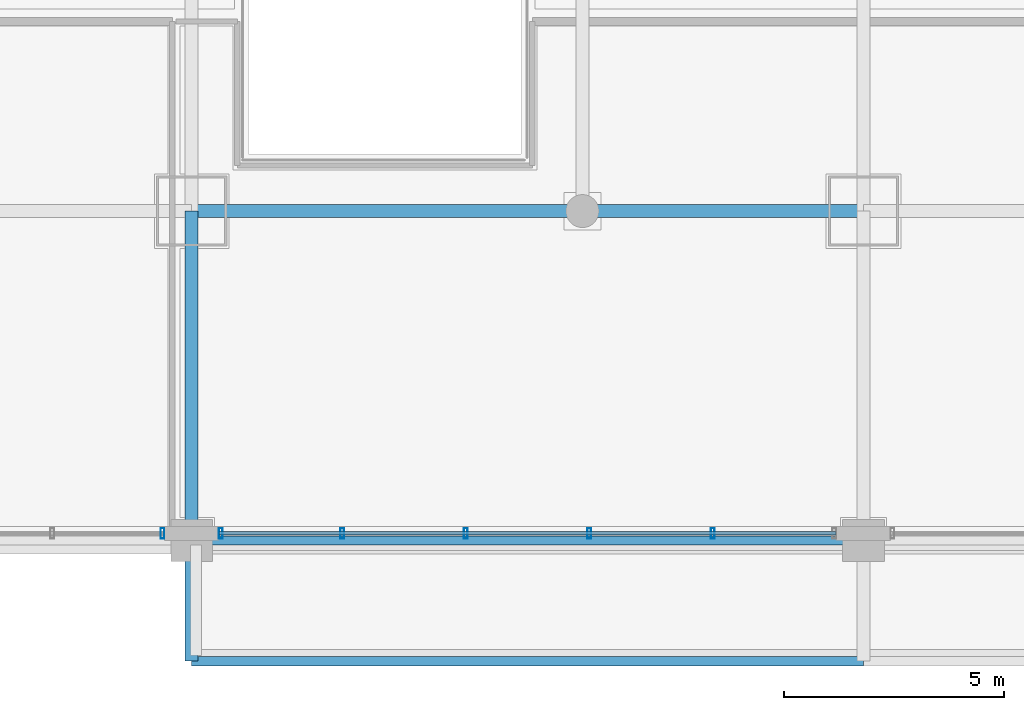
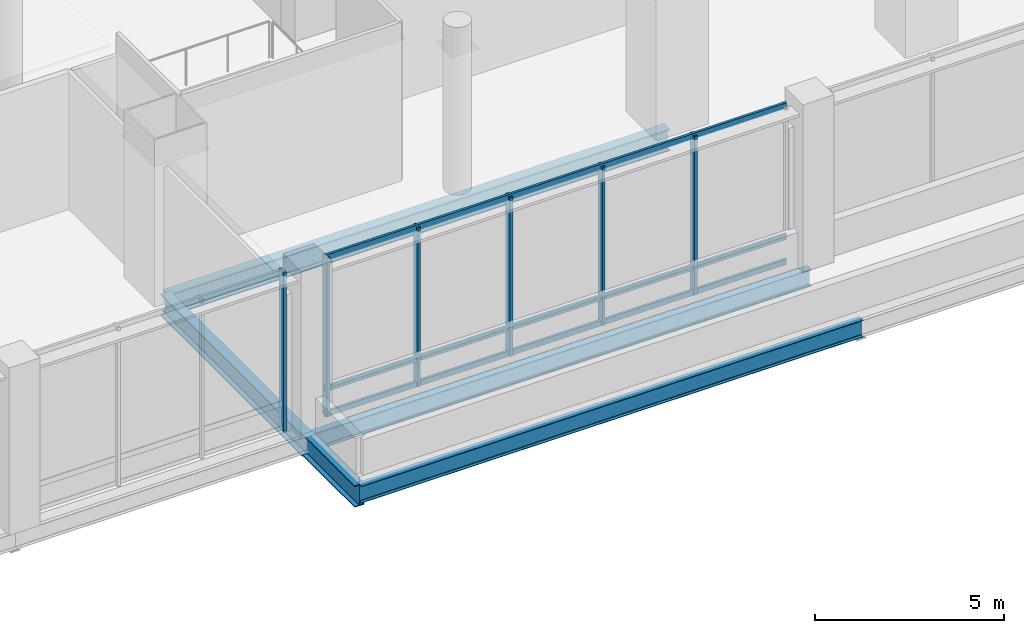
# One storey, part 4 of 43: 9 members, 5 beams, 2 elements without a shape of their own.
"""IFC4 building model written with IfcOpenShell, lengths in metres."""

from ifc_helpers import new_model, si_unit, direction, frame, origin, origin_2d, place, context, subcontext, project, spatial, hollow_rectangle, i_section, extrude, material, material_profile, profile_set, type_object, element, aggregate, save


model = new_model("IFC4")

# Units and contexts
model_context = context("Model", 3, precision=1e-05, world=origin(), true_north=direction((0.0, 1.0)))
body_context = subcontext(model_context, "Body", "Model", "MODEL_VIEW")
ifc_project = project(units=[si_unit("LENGTHUNIT", "METRE"), si_unit("AREAUNIT", "SQUARE_METRE"), si_unit("VOLUMEUNIT", "CUBIC_METRE"), si_unit("PLANEANGLEUNIT", "RADIAN"), si_unit("MASSUNIT", "GRAM", prefix="KILO")], contexts=[model_context])

# Site, building, storey
site_placement = place(None, origin())
site = spatial("IfcSite", under=ifc_project, at=site_placement, CompositionType="ELEMENT")
building_placement = place(site_placement, origin())
building = spatial("IfcBuilding", under=site, at=building_placement, Name="Punatoya Terracotta Tower", CompositionType="ELEMENT")
storey_placement = place(building_placement, frame((0.0, 0.0, 6.0)))
storey = spatial("IfcBuildingStorey", under=building, at=storey_placement, Name="L01", CompositionType="ELEMENT", Elevation=6.0)

# Beams
ifc_material_1 = material(Name="Steel S355", Category="steel")
ifc_material_profile_1 = material_profile(ifc_material_1, i_section(OverallWidth=0.300048828125, OverallDepth=0.699951171875, WebThickness=0.01708984375, FlangeThickness=0.031982421875, FilletRadius=0.01806640625, at=origin_2d()))
ifc_profile_set_1 = profile_set([ifc_material_profile_1], Name="Steel S355")
beam_type_1 = type_object("IfcBeamType", Name="BM-PRI-700", PredefinedType="BEAM", material=ifc_profile_set_1)
beam_1_placement = place(storey_placement, frame((-19.10009765625, -17.5, -0.6298828125), z_axis=(1.0, 0.0, 0.0), x_axis=(0.0, 1.0, 0.0)))
element("IfcBeam", 1, at=beam_1_placement, inside=storey, type_object=beam_type_1, Name="BM-L01-RG-S1", PredefinedType="BEAM", context=body_context, shape_type="SweptSolid", body=[
    extrude(i_section(OverallWidth=0.300048828125, OverallDepth=0.699951171875, WebThickness=0.01708984375, FlangeThickness=0.031982421875, FilletRadius=0.01806640625, at=origin_2d()), origin(), (0.0, 0.0, 1.0), 15.300048828125),
])
beam_2_placement = place(storey_placement, frame((-19.10009765625, -25.0, -0.6298828125), z_axis=(0.0, 1.0, 0.0), x_axis=(-1.0, 0.0, 0.0)))
element("IfcBeam", 2, at=beam_2_placement, inside=storey, type_object=beam_type_1, Name="BM-L01-M19W--25", PredefinedType="BEAM", context=body_context, shape_type="SweptSolid", body=[
    extrude(i_section(OverallWidth=0.300048828125, OverallDepth=0.699951171875, WebThickness=0.01708984375, FlangeThickness=0.031982421875, FilletRadius=0.01806640625, at=origin_2d()), origin(), (0.0, 0.0, 1.0), 7.5),
])
beam_3_placement = place(storey_placement, frame((-19.10009765625, -27.75, -0.60009765625), z_axis=(0.0, 1.0, 0.0), x_axis=(-1.0, 0.0, 0.0)))
element("IfcBeam", 3, at=beam_3_placement, inside=storey, type_object=beam_type_1, Name="BM-L01-CANS--19", PredefinedType="BEAM", context=body_context, shape_type="SweptSolid", body=[
    extrude(i_section(OverallWidth=0.300048828125, OverallDepth=0.699951171875, WebThickness=0.01708984375, FlangeThickness=0.031982421875, FilletRadius=0.01806640625, at=origin_2d()), origin(), (0.0, 0.0, 1.0), 2.75),
])
ifc_material_profile_2 = material_profile(ifc_material_1, i_section(OverallWidth=0.2099609375, OverallDepth=0.550048828125, WebThickness=0.010986328125, FlangeThickness=0.01708984375, FilletRadius=0.01806640625, at=origin_2d()))
ifc_profile_set_2 = profile_set([ifc_material_profile_2], Name="Steel S355")
beam_type_2 = type_object("IfcBeamType", Name="BM-SPN-550", PredefinedType="SPANDREL", material=ifc_profile_set_2)
for number, where, z_axis, x_axis, name in (
    (4, (-19.10009765625, -25.0, -0.554931640625), (1.0, 0.0, 0.0), (0.0, 1.0, 0.0), "BM-L01-MIDA-1"),
    (5, (-19.10009765625, -27.75, -0.52490234375), (1.0, 0.0, 0.0), (0.0, 1.0, 0.0), "BM-L01-CANFS-1"),
):
    element("IfcBeam", number, at=place(storey_placement, frame(where, z_axis=z_axis, x_axis=x_axis)), inside=storey, type_object=beam_type_2, Name=name, PredefinedType="SPANDREL", context=body_context, shape_type="SweptSolid", body=[
        extrude(i_section(OverallWidth=0.2099609375, OverallDepth=0.550048828125, WebThickness=0.010986328125, FlangeThickness=0.01708984375, FilletRadius=0.01806640625, at=origin_2d()), origin(), (0.0, 0.0, 1.0), 15.300048828125),
    ])

# Curtain wall, member
ifc_material_2 = material(Name="Aluminium 6063-T6 + Double Low-E Glass", Category="aluminium")
curtain_wall_type = type_object("IfcCurtainWallType", Name="CW-POD", PredefinedType="NOTDEFINED", material=ifc_material_2)
curtain_wall_1_placement = place(storey_placement, origin())
curtain_wall_1 = element("IfcCurtainWall", 6, at=curtain_wall_1_placement, inside=storey, type_object=curtain_wall_type, Name="L01 Curtain Wall CWP-L01-S2", PredefinedType="NOTDEFINED")
ifc_material_3 = material(Name="Aluminium 6063-T6", Category="aluminium")
ifc_material_profile_3 = material_profile(ifc_material_3, hollow_rectangle(XDim=0.0849609375, YDim=0.239990234375, WallThickness=0.0048828125, at=origin_2d()))
ifc_profile_set_3 = profile_set([ifc_material_profile_3], Name="Aluminium 6063-T6")
member_type_1 = type_object("IfcMemberType", Name="CW-MUL-POD", PredefinedType="MULLION", material=ifc_profile_set_3)
member_1_placement = place(storey_placement, frame((-19.764892578125, -24.840087890625, 0.0), z_axis=(0.0, 0.0, 1.0), x_axis=(1.0, 0.0, 0.0)))
member_1 = element("IfcMember", 7, at=member_1_placement, type_object=member_type_1, Name="CWP-L01-S2 Mullion 03", PredefinedType="MULLION", context=body_context, shape_type="SweptSolid", body=[
    extrude(hollow_rectangle(XDim=0.0849609375, YDim=0.239990234375, WallThickness=0.0048828125, at=origin_2d()), origin(), (0.0, 0.0, 1.0), 5.1201171875),
])
aggregate(curtain_wall_1, [member_1])

# Curtain wall, members
curtain_wall_2_placement = place(storey_placement, origin())
curtain_wall_2 = element("IfcCurtainWall", 8, at=curtain_wall_2_placement, inside=storey, type_object=curtain_wall_type, Name="L01 Curtain Wall CWP-L01-S3", PredefinedType="NOTDEFINED")
member_2_placement = place(storey_placement, frame((-18.43505859375, -24.840087890625, 0.0), z_axis=(0.0, 0.0, 1.0), x_axis=(1.0, 0.0, 0.0)))
member_2 = element("IfcMember", 9, at=member_2_placement, type_object=member_type_1, Name="CWP-L01-S3 Mullion 00", PredefinedType="MULLION", context=body_context, shape_type="SweptSolid", body=[
    extrude(hollow_rectangle(XDim=0.0849609375, YDim=0.239990234375, WallThickness=0.0048828125, at=origin_2d()), origin(), (0.0, 0.0, 1.0), 5.1201171875),
])
member_3_placement = place(storey_placement, frame((-15.66796875, -24.840087890625, 0.0), z_axis=(0.0, 0.0, 1.0), x_axis=(1.0, 0.0, 0.0)))
member_3 = element("IfcMember", 10, at=member_3_placement, type_object=member_type_1, Name="CWP-L01-S3 Mullion 01", PredefinedType="MULLION", context=body_context, shape_type="SweptSolid", body=[
    extrude(hollow_rectangle(XDim=0.0849609375, YDim=0.239990234375, WallThickness=0.0048828125, at=origin_2d()), origin(), (0.0, 0.0, 1.0), 5.1201171875),
])
member_4_placement = place(storey_placement, frame((-12.85595703125, -24.840087890625, 0.0), z_axis=(0.0, 0.0, 1.0), x_axis=(1.0, 0.0, 0.0)))
member_4 = element("IfcMember", 11, at=member_4_placement, type_object=member_type_1, Name="CWP-L01-S3 Mullion 02", PredefinedType="MULLION", context=body_context, shape_type="SweptSolid", body=[
    extrude(hollow_rectangle(XDim=0.0849609375, YDim=0.239990234375, WallThickness=0.0048828125, at=origin_2d()), origin(), (0.0, 0.0, 1.0), 5.1201171875),
])
member_5_placement = place(storey_placement, frame((-10.0439453125, -24.840087890625, 0.0), z_axis=(0.0, 0.0, 1.0), x_axis=(1.0, 0.0, 0.0)))
member_5 = element("IfcMember", 12, at=member_5_placement, type_object=member_type_1, Name="CWP-L01-S3 Mullion 03", PredefinedType="MULLION", context=body_context, shape_type="SweptSolid", body=[
    extrude(hollow_rectangle(XDim=0.0849609375, YDim=0.239990234375, WallThickness=0.0048828125, at=origin_2d()), origin(), (0.0, 0.0, 1.0), 5.1201171875),
])
member_6_placement = place(storey_placement, frame((-7.23193359375, -24.840087890625, 0.0), z_axis=(0.0, 0.0, 1.0), x_axis=(1.0, 0.0, 0.0)))
member_6 = element("IfcMember", 13, at=member_6_placement, type_object=member_type_1, Name="CWP-L01-S3 Mullion 04", PredefinedType="MULLION", context=body_context, shape_type="SweptSolid", body=[
    extrude(hollow_rectangle(XDim=0.0849609375, YDim=0.239990234375, WallThickness=0.0048828125, at=origin_2d()), origin(), (0.0, 0.0, 1.0), 5.1201171875),
])
ifc_material_profile_4 = material_profile(ifc_material_3, hollow_rectangle(XDim=0.074951171875, YDim=0.175048828125, WallThickness=0.00439453125, at=origin_2d()))
ifc_profile_set_4 = profile_set([ifc_material_profile_4], Name="Aluminium 6063-T6")
member_type_2 = type_object("IfcMemberType", Name="CW-TRN-POD", PredefinedType="USERDEFINED", material=ifc_profile_set_4)
member_7_placement = place(storey_placement, frame((-18.47998046875, -24.840087890625, 0.0400390625), z_axis=(1.0, 0.0, 0.0), x_axis=(0.0, 1.0, 0.0)))
member_7 = element("IfcMember", 14, at=member_7_placement, type_object=member_type_2, Name="CWP-L01-S3 Transom 1", ObjectType="TRANSOM", PredefinedType="USERDEFINED", context=body_context, shape_type="SweptSolid", body=[
    extrude(hollow_rectangle(XDim=0.074951171875, YDim=0.175048828125, WallThickness=0.00439453125, at=origin_2d()), origin(), (0.0, 0.0, 1.0), 14.06005859375),
])
member_8_placement = place(storey_placement, frame((-18.47998046875, -24.840087890625, 0.85009765625), z_axis=(1.0, 0.0, 0.0), x_axis=(0.0, 1.0, 0.0)))
member_8 = element("IfcMember", 15, at=member_8_placement, type_object=member_type_2, Name="CWP-L01-S3 Transom 2", ObjectType="TRANSOM", PredefinedType="USERDEFINED", context=body_context, shape_type="SweptSolid", body=[
    extrude(hollow_rectangle(XDim=0.074951171875, YDim=0.175048828125, WallThickness=0.00439453125, at=origin_2d()), origin(), (0.0, 0.0, 1.0), 14.06005859375),
])
member_9_placement = place(storey_placement, frame((-18.47998046875, -24.840087890625, 5.080078125), z_axis=(1.0, 0.0, 0.0), x_axis=(0.0, 1.0, 0.0)))
member_9 = element("IfcMember", 16, at=member_9_placement, type_object=member_type_2, Name="CWP-L01-S3 Transom 3", ObjectType="TRANSOM", PredefinedType="USERDEFINED", context=body_context, shape_type="SweptSolid", body=[
    extrude(hollow_rectangle(XDim=0.074951171875, YDim=0.175048828125, WallThickness=0.00439453125, at=origin_2d()), origin(), (0.0, 0.0, 1.0), 14.06005859375),
])
aggregate(curtain_wall_2, [member_2, member_3, member_4, member_5, member_6, member_7, member_8, member_9])

save(model, "model.ifc")
